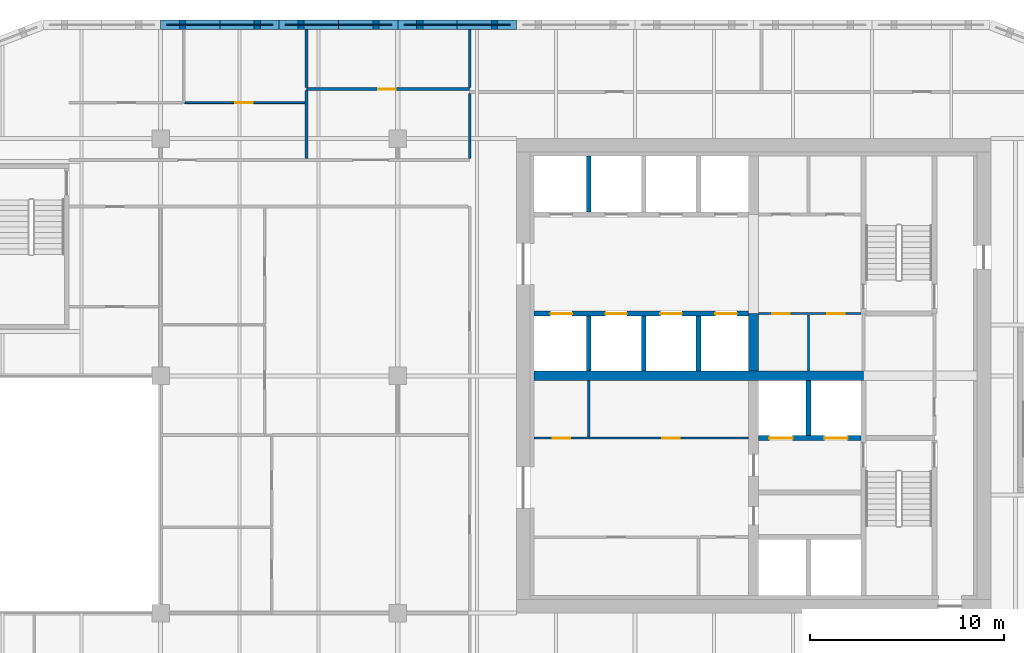
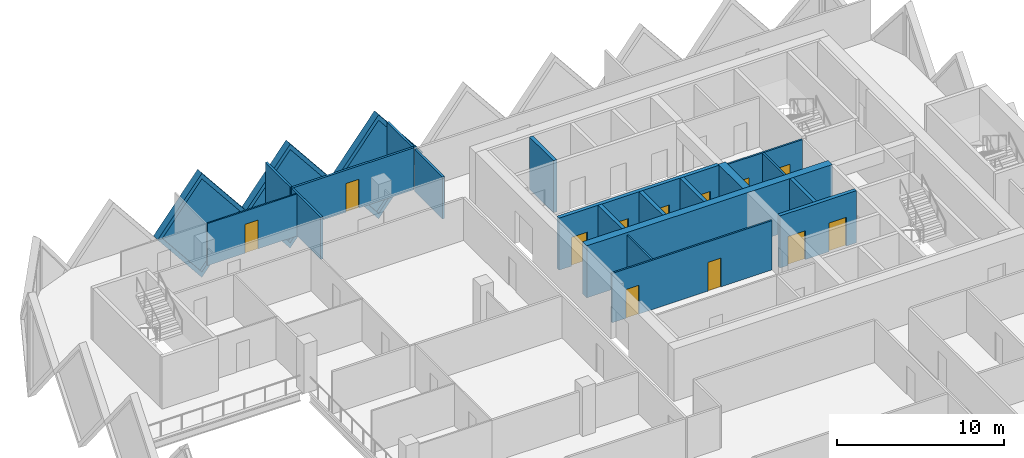
# One storey, part 8 of 13: 22 walls, 12 doors, 3 plates, 15 openings.
"""IFC4 building model written with IfcOpenShell, lengths in metres."""

from ifc_helpers import new_model, si_unit, direction, frame, frame_2d, origin, place, context, subcontext, project, spatial, polyline, rectangle, outline, extrude, faceted_brep, source, transform, mapped, material, layer, layer_set, type_object, element, fill, save


model = new_model("IFC4")

# Units and contexts
model_context = context("Model", 3, precision=1e-05, world=origin(), true_north=direction((0.0, 1.0)))
body_context = subcontext(model_context, "Body", "Model", "MODEL_VIEW")
ifc_project = project(units=[si_unit("LENGTHUNIT", "METRE"), si_unit("AREAUNIT", "SQUARE_METRE"), si_unit("VOLUMEUNIT", "CUBIC_METRE"), si_unit("PLANEANGLEUNIT", "RADIAN"), si_unit("MASSUNIT", "GRAM", prefix="KILO")], contexts=[model_context])

# Site, building, storey
site_placement = place(None, origin())
site = spatial("IfcSite", under=ifc_project, at=site_placement, CompositionType="ELEMENT")
building_placement = place(site_placement, origin())
building = spatial("IfcBuilding", under=site, at=building_placement, Name="Tessera Gate Towers", CompositionType="ELEMENT")
storey_placement = place(building_placement, frame((0.0, 0.0, 131.60009765625)))
storey = spatial("IfcBuildingStorey", under=building, at=storey_placement, Name="L32", CompositionType="ELEMENT", Elevation=131.60009765625)

# Wall, openings, doors
ifc_material_1 = material(Name="Concrete C40/50", Category="concrete")
ifc_layer_1 = layer(ifc_material_1, 0.25)
ifc_layer_set_1 = layer_set([ifc_layer_1], Name="CORE ENCLOSURE WALL 250")
wall_type_1 = type_object("IfcWallType", Name="CORE ENCLOSURE WALL 250", PredefinedType="SOLIDWALL", material=ifc_layer_set_1)
wall_1_placement = place(storey_placement, frame((31.39990234375, 39.800048828125, 0.0), z_axis=(0.0, 0.0, 1.0), x_axis=(1.0, 0.0, 0.0)))
wall_1 = element("IfcWall", 1, at=wall_1_placement, inside=storey, type_object=wall_type_1, Name="L32 shaft and stair enclosure wall", PredefinedType="SOLIDWALL", context=body_context, shape_type="SweptSolid", body=[
    extrude(rectangle(XDim=11.050048828125, YDim=0.25, at=frame_2d((5.52490234375, 0.0))), origin(), (0.0, 0.0, 1.0), 3.7998046875),
])
shared_shape_1 = source(origin(), body_context, "Body", "SweptSolid", [
    extrude(rectangle(XDim=1.10009765625, YDim=2.10009765625, at=frame_2d((0.550048828125, 1.050048828125))), frame((0.0, 0.135009765625, 0.0), z_axis=(0.0, -1.0, 0.0), x_axis=(1.0, 0.0, 0.0)), (0.0, 0.0, 1.0), 0.27001953125),
])
opening_1_placement = place(wall_1_placement, frame((0.862548828125, 0.0, 0.0)))
opening_1 = element("IfcOpeningElement", 2, at=opening_1_placement, cuts=wall_1, Name="Opening LD-HR1", PredefinedType="OPENING", context=body_context, shape_type="MappedRepresentation", body=[
    mapped(shared_shape_1, transform((0.0, 0.0, 0.0), scale=1.0)),
])
opening_2_placement = place(wall_1_placement, frame((3.6875, 0.0, 0.0)))
opening_2 = element("IfcOpeningElement", 3, at=opening_2_placement, cuts=wall_1, Name="Opening LD-HR2", PredefinedType="OPENING", context=body_context, shape_type="MappedRepresentation", body=[
    mapped(shared_shape_1, transform((0.0, 0.0, 0.0), scale=1.0)),
])
opening_3_placement = place(wall_1_placement, frame((6.512451171875, 0.0, 0.0)))
opening_3 = element("IfcOpeningElement", 4, at=opening_3_placement, cuts=wall_1, Name="Opening LD-HR3", PredefinedType="OPENING", context=body_context, shape_type="MappedRepresentation", body=[
    mapped(shared_shape_1, transform((0.0, 0.0, 0.0), scale=1.0)),
])
opening_4_placement = place(wall_1_placement, frame((9.33740234375, 0.0, 0.0)))
opening_4 = element("IfcOpeningElement", 5, at=opening_4_placement, cuts=wall_1, Name="Opening LD-HR4", PredefinedType="OPENING", context=body_context, shape_type="MappedRepresentation", body=[
    mapped(shared_shape_1, transform((0.0, 0.0, 0.0), scale=1.0)),
])
ifc_material_2 = material(Name="Stainless steel", Category="steel")
door_type_1 = type_object("IfcDoorType", Name="CORE DOOR LD 1100x2100", OperationType="DOUBLE_DOOR_SLIDING", PredefinedType="DOOR", material=ifc_material_2)
shared_shape_2 = source(origin(), body_context, "Body", "SweptSolid", [
    extrude(rectangle(XDim=1.10009765625, YDim=2.10009765625, at=frame_2d((0.550048828125, 1.050048828125))), frame((0.0, 0.02490234375, 0.0), z_axis=(0.0, -1.0, 0.0), x_axis=(1.0, 0.0, 0.0)), (0.0, 0.0, 1.0), 0.050048828125),
])
door_1_placement = place(opening_1_placement, origin())
door_1 = element("IfcDoor", 6, at=door_1_placement, inside=storey, type_object=door_type_1, Name="Landing door HR1 L32", OperationType="DOUBLE_DOOR_SLIDING", OverallHeight=2.10009765625, OverallWidth=1.10009765625, PredefinedType="DOOR", context=body_context, shape_type="MappedRepresentation", body=[
    mapped(shared_shape_2, transform((0.0, 0.0, 0.0), scale=1.0)),
])
fill(opening_1, door_1)
door_2_placement = place(opening_2_placement, origin())
door_2 = element("IfcDoor", 7, at=door_2_placement, inside=storey, type_object=door_type_1, Name="Landing door HR2 L32", OperationType="DOUBLE_DOOR_SLIDING", OverallHeight=2.10009765625, OverallWidth=1.10009765625, PredefinedType="DOOR", context=body_context, shape_type="MappedRepresentation", body=[
    mapped(shared_shape_2, transform((0.0, 0.0, 0.0), scale=1.0)),
])
fill(opening_2, door_2)
door_3_placement = place(opening_3_placement, origin())
door_3 = element("IfcDoor", 8, at=door_3_placement, inside=storey, type_object=door_type_1, Name="Landing door HR3 L32", OperationType="DOUBLE_DOOR_SLIDING", OverallHeight=2.10009765625, OverallWidth=1.10009765625, PredefinedType="DOOR", context=body_context, shape_type="MappedRepresentation", body=[
    mapped(shared_shape_2, transform((0.0, 0.0, 0.0), scale=1.0)),
])
fill(opening_3, door_3)
door_4_placement = place(opening_4_placement, origin())
door_4 = element("IfcDoor", 9, at=door_4_placement, inside=storey, type_object=door_type_1, Name="Landing door HR4 L32", OperationType="DOUBLE_DOOR_SLIDING", OverallHeight=2.10009765625, OverallWidth=1.10009765625, PredefinedType="DOOR", context=body_context, shape_type="MappedRepresentation", body=[
    mapped(shared_shape_2, transform((0.0, 0.0, 0.0), scale=1.0)),
])
fill(opening_4, door_4)

wall_2_placement = place(storey_placement, frame((48.22509765625, 33.39990234375, 0.0), z_axis=(0.0, 0.0, 1.0), x_axis=(-1.0, 0.0, 0.0)))
wall_2 = element("IfcWall", 10, at=wall_2_placement, inside=storey, type_object=wall_type_1, Name="L32 shaft and stair enclosure wall", PredefinedType="SOLIDWALL", context=body_context, shape_type="SweptSolid", body=[
    extrude(rectangle(XDim=5.275146484375, YDim=0.25, at=frame_2d((2.6376953125, 0.0))), origin(), (0.0, 0.0, 1.0), 3.7998046875),
])
shared_shape_3 = source(origin(), body_context, "Body", "SweptSolid", [
    extrude(rectangle(XDim=1.199951171875, YDim=2.10009765625, at=frame_2d((0.60009765625, 1.050048828125))), frame((0.0, 0.135009765625, 0.0), z_axis=(0.0, -1.0, 0.0), x_axis=(1.0, 0.0, 0.0)), (0.0, 0.0, 1.0), 0.27001953125),
])
opening_5_placement = place(wall_2_placement, frame((3.512451171875, 0.0, 0.0)))
opening_5 = element("IfcOpeningElement", 11, at=opening_5_placement, cuts=wall_2, Name="Opening LD-FF1", PredefinedType="OPENING", context=body_context, shape_type="MappedRepresentation", body=[
    mapped(shared_shape_3, transform((0.0, 0.0, 0.0), scale=1.0)),
])
opening_6_placement = place(wall_2_placement, frame((0.6875, 0.0, 0.0)))
opening_6 = element("IfcOpeningElement", 12, at=opening_6_placement, cuts=wall_2, Name="Opening LD-FF2", PredefinedType="OPENING", context=body_context, shape_type="MappedRepresentation", body=[
    mapped(shared_shape_3, transform((0.0, 0.0, 0.0), scale=1.0)),
])
ifc_material_3 = material(Name="Stainless steel", Category="steel")
door_type_2 = type_object("IfcDoorType", Name="CORE DOOR LD1200 1200x2100", OperationType="DOUBLE_DOOR_SLIDING", PredefinedType="DOOR", material=ifc_material_3)
shared_shape_4 = source(origin(), body_context, "Body", "SweptSolid", [
    extrude(rectangle(XDim=1.199951171875, YDim=2.10009765625, at=frame_2d((0.60009765625, 1.050048828125))), frame((0.0, 0.02490234375, 0.0), z_axis=(0.0, -1.0, 0.0), x_axis=(1.0, 0.0, 0.0)), (0.0, 0.0, 1.0), 0.050048828125),
])
door_5_placement = place(opening_5_placement, origin())
door_5 = element("IfcDoor", 13, at=door_5_placement, inside=storey, type_object=door_type_2, Name="Landing door FF1 L32", OperationType="DOUBLE_DOOR_SLIDING", OverallHeight=2.10009765625, OverallWidth=1.199951171875, PredefinedType="DOOR", context=body_context, shape_type="MappedRepresentation", body=[
    mapped(shared_shape_4, transform((0.0, 0.0, 0.0), scale=1.0)),
])
fill(opening_5, door_5)
door_6_placement = place(opening_6_placement, origin())
door_6 = element("IfcDoor", 14, at=door_6_placement, inside=storey, type_object=door_type_2, Name="Landing door FF2 L32", OperationType="DOUBLE_DOOR_SLIDING", OverallHeight=2.10009765625, OverallWidth=1.199951171875, PredefinedType="DOOR", context=body_context, shape_type="MappedRepresentation", body=[
    mapped(shared_shape_4, transform((0.0, 0.0, 0.0), scale=1.0)),
])
fill(opening_6, door_6)

# Walls
for number, where, z_axis, x_axis, name in (
    (15, (34.22509765625, 36.85009765625, 0.0), (0.0, 0.0, 1.0), (0.0, 1.0, 0.0), "L32 shaft and stair enclosure wall"),
    (16, (37.050048828125, 36.85009765625, 0.0), (0.0, 0.0, 1.0), (0.0, 1.0, 0.0), "L32 shaft and stair enclosure wall"),
    (17, (39.875, 36.85009765625, 0.0), (0.0, 0.0, 1.0), (0.0, 1.0, 0.0), "L32 shaft and stair enclosure wall"),
):
    element("IfcWall", number, at=place(storey_placement, frame(where, z_axis=z_axis, x_axis=x_axis)), inside=storey, type_object=wall_type_1, Name=name, PredefinedType="SOLIDWALL", context=body_context, shape_type="SweptSolid", body=[
        extrude(rectangle(XDim=2.824951171875, YDim=0.25, at=frame_2d((1.41259765625, 0.0))), origin(), (0.0, 0.0, 1.0), 3.7998046875),
    ])
wall_3_placement = place(storey_placement, frame((45.52490234375, 33.52490234375, 0.0), z_axis=(0.0, 0.0, 1.0), x_axis=(0.0, 1.0, 0.0)))
element("IfcWall", 18, at=wall_3_placement, inside=storey, type_object=wall_type_1, Name="L32 shaft and stair enclosure wall", PredefinedType="SOLIDWALL", context=body_context, shape_type="SweptSolid", body=[
    extrude(rectangle(XDim=2.8251953125, YDim=0.25, at=frame_2d((1.41259765625, 0.0))), origin(), (0.0, 0.0, 1.0), 3.7998046875),
])
wall_4_placement = place(storey_placement, frame((34.22509765625, 45.02490234375, 0.0), z_axis=(0.0, 0.0, 1.0), x_axis=(0.0, 1.0, 0.0)))
element("IfcWall", 19, at=wall_4_placement, inside=storey, type_object=wall_type_1, Name="L32 shaft and stair enclosure wall", PredefinedType="SOLIDWALL", context=body_context, shape_type="SweptSolid", body=[
    extrude(rectangle(XDim=2.875, YDim=0.25, at=frame_2d((1.4375, 0.0))), origin(), (0.0, 0.0, 1.0), 3.7998046875),
])

# Wall, openings, doors
ifc_material_4 = material(Name="Gypsum board on steel studs", Category="steel")
ifc_layer_2 = layer(ifc_material_4, 0.1201171875)
ifc_layer_set_2 = layer_set([ifc_layer_2], Name="CORE PARTITION 120")
wall_type_2 = type_object("IfcWallType", Name="CORE PARTITION 120", PredefinedType="PARTITIONING", material=ifc_layer_set_2)
wall_5_placement = place(storey_placement, frame((31.39990234375, 33.39990234375, 0.0), z_axis=(0.0, 0.0, 1.0), x_axis=(1.0, 0.0, 0.0)))
wall_5 = element("IfcWall", 20, at=wall_5_placement, inside=storey, type_object=wall_type_2, Name="L32 core partition", PredefinedType="PARTITIONING", context=body_context, shape_type="SweptSolid", body=[
    extrude(rectangle(XDim=11.050048828125, YDim=0.1201171875, at=frame_2d((5.52490234375, 0.0))), origin(), (0.0, 0.0, 1.0), 3.599853515625),
])
shared_shape_5 = source(origin(), body_context, "Body", "SweptSolid", [
    extrude(rectangle(XDim=0.89990234375, YDim=2.10009765625, at=frame_2d((0.449951171875, 1.050048828125))), frame((0.0, 0.070068359375, 0.0), z_axis=(0.0, -1.0, 0.0), x_axis=(1.0, 0.0, 0.0)), (0.0, 0.0, 1.0), 0.14013671875),
])
opening_7_placement = place(wall_5_placement, frame((0.96240234375, 0.0, 0.0)))
opening_7 = element("IfcOpeningElement", 21, at=opening_7_placement, cuts=wall_5, Name="Opening RD-T1-22-07", PredefinedType="OPENING", context=body_context, shape_type="MappedRepresentation", body=[
    mapped(shared_shape_5, transform((0.0, 0.0, 0.0), scale=1.0)),
])
opening_8_placement = place(wall_5_placement, frame((6.612548828125, 0.0, 0.0)))
opening_8 = element("IfcOpeningElement", 22, at=opening_8_placement, cuts=wall_5, Name="Opening RD-T1-22-08", PredefinedType="OPENING", context=body_context, shape_type="MappedRepresentation", body=[
    mapped(shared_shape_5, transform((0.0, 0.0, 0.0), scale=1.0)),
])
ifc_material_5 = material(Name="Hollow steel fire door", Category="steel")
door_type_3 = type_object("IfcDoorType", Name="CORE DOOR RD 900x2100", OperationType="NOTDEFINED", PredefinedType="DOOR", material=ifc_material_5)
shared_shape_6 = source(origin(), body_context, "Body", "SweptSolid", [
    extrude(rectangle(XDim=0.89990234375, YDim=2.10009765625, at=frame_2d((0.449951171875, 1.050048828125))), frame((0.0, 0.02490234375, 0.0), z_axis=(0.0, -1.0, 0.0), x_axis=(1.0, 0.0, 0.0)), (0.0, 0.0, 1.0), 0.050048828125),
])
door_7_placement = place(opening_7_placement, origin())
door_7 = element("IfcDoor", 23, at=door_7_placement, inside=storey, type_object=door_type_3, Name="Core room door", OperationType="SINGLE_SWING_LEFT", OverallHeight=2.10009765625, OverallWidth=0.89990234375, PredefinedType="DOOR", context=body_context, shape_type="MappedRepresentation", body=[
    mapped(shared_shape_6, transform((0.0, 0.0, 0.0), scale=1.0)),
])
fill(opening_7, door_7)
door_8_placement = place(opening_8_placement, origin())
door_8 = element("IfcDoor", 24, at=door_8_placement, inside=storey, type_object=door_type_3, Name="Core room door", OperationType="SINGLE_SWING_RIGHT", OverallHeight=2.10009765625, OverallWidth=0.89990234375, PredefinedType="DOOR", context=body_context, shape_type="MappedRepresentation", body=[
    mapped(shared_shape_6, transform((0.0, 0.0, 0.0), scale=1.0)),
])
fill(opening_8, door_8)

wall_6_placement = place(storey_placement, frame((48.22509765625, 39.800048828125, 0.0), z_axis=(0.0, 0.0, 1.0), x_axis=(-1.0, 0.0, 0.0)))
wall_6 = element("IfcWall", 25, at=wall_6_placement, inside=storey, type_object=wall_type_2, Name="L32 core partition", PredefinedType="PARTITIONING", context=body_context, shape_type="SweptSolid", body=[
    extrude(rectangle(XDim=5.275146484375, YDim=0.1201171875, at=frame_2d((2.6376953125, 0.0))), origin(), (0.0, 0.0, 1.0), 3.599853515625),
])
opening_9_placement = place(wall_6_placement, frame((3.66259765625, 0.0, 0.0)))
opening_9 = element("IfcOpeningElement", 26, at=opening_9_placement, cuts=wall_6, Name="Opening RD-T1-22-11", PredefinedType="OPENING", context=body_context, shape_type="MappedRepresentation", body=[
    mapped(shared_shape_5, transform((0.0, 0.0, 0.0), scale=1.0)),
])
opening_10_placement = place(wall_6_placement, frame((0.83740234375, 0.0, 0.0)))
opening_10 = element("IfcOpeningElement", 27, at=opening_10_placement, cuts=wall_6, Name="Opening RD-T1-22-12", PredefinedType="OPENING", context=body_context, shape_type="MappedRepresentation", body=[
    mapped(shared_shape_5, transform((0.0, 0.0, 0.0), scale=1.0)),
])
door_9_placement = place(opening_9_placement, origin())
door_9 = element("IfcDoor", 28, at=door_9_placement, inside=storey, type_object=door_type_3, Name="Core room door", OperationType="SINGLE_SWING_RIGHT", OverallHeight=2.10009765625, OverallWidth=0.89990234375, PredefinedType="DOOR", context=body_context, shape_type="MappedRepresentation", body=[
    mapped(shared_shape_6, transform((0.0, 0.0, 0.0), scale=1.0)),
])
fill(opening_9, door_9)
door_10_placement = place(opening_10_placement, origin())
door_10 = element("IfcDoor", 29, at=door_10_placement, inside=storey, type_object=door_type_3, Name="Core room door", OperationType="SINGLE_SWING_LEFT", OverallHeight=2.10009765625, OverallWidth=0.89990234375, PredefinedType="DOOR", context=body_context, shape_type="MappedRepresentation", body=[
    mapped(shared_shape_6, transform((0.0, 0.0, 0.0), scale=1.0)),
])
fill(opening_10, door_10)

# Walls
wall_7_placement = place(storey_placement, frame((45.52490234375, 36.85009765625, 0.0), z_axis=(0.0, 0.0, 1.0), x_axis=(0.0, 1.0, 0.0)))
element("IfcWall", 30, at=wall_7_placement, inside=storey, type_object=wall_type_2, Name="L32 core partition", PredefinedType="PARTITIONING", context=body_context, shape_type="SweptSolid", body=[
    extrude(rectangle(XDim=2.889892578125, YDim=0.1201171875, at=frame_2d((1.44482421875, 0.0))), origin(), (0.0, 0.0, 1.0), 3.599853515625),
])
wall_8_placement = place(storey_placement, frame((34.22509765625, 33.4599609375, 0.0), z_axis=(0.0, 0.0, 1.0), x_axis=(0.0, 1.0, 0.0)))
element("IfcWall", 31, at=wall_8_placement, inside=storey, type_object=wall_type_2, Name="L32 core partition", PredefinedType="PARTITIONING", context=body_context, shape_type="SweptSolid", body=[
    extrude(rectangle(XDim=2.89013671875, YDim=0.1201171875, at=frame_2d((1.445068359375, 0.0))), origin(), (0.0, 0.0, 1.0), 3.599853515625),
])
ifc_material_6 = material(Name="Concrete C60/75", Category="concrete")
ifc_layer_3 = layer(ifc_material_6, 0.5)
ifc_layer_set_3 = layer_set([ifc_layer_3], Name="CORE SPINE WALL 500 C60/75")
wall_type_3 = type_object("IfcWallType", Name="CORE SPINE WALL 500 C60/75", PredefinedType="SHEAR", material=ifc_layer_set_3)
wall_9_placement = place(storey_placement, frame((31.39990234375, 36.60009765625, 0.0), z_axis=(0.0, 0.0, 1.0), x_axis=(1.0, 0.0, 0.0)))
element("IfcWall", 32, at=wall_9_placement, inside=storey, type_object=wall_type_3, Name="Core wall spine L32", PredefinedType="SHEAR", context=body_context, shape_type="SweptSolid", body=[
    extrude(rectangle(XDim=16.9501953125, YDim=0.5, at=frame_2d((8.47509765625, 0.0))), origin(), (0.0, 0.0, 1.0), 3.7998046875),
])
wall_10_placement = place(storey_placement, frame((42.699951171875, 36.85009765625, 0.0), z_axis=(0.0, 0.0, 1.0), x_axis=(0.0, 1.0, 0.0)))
element("IfcWall", 33, at=wall_10_placement, inside=storey, type_object=wall_type_3, Name="Core wall spine L32", PredefinedType="SHEAR", context=body_context, shape_type="SweptSolid", body=[
    extrude(rectangle(XDim=2.949951171875, YDim=0.5, at=frame_2d((1.47509765625, 0.0))), origin(), (0.0, 0.0, 1.0), 3.7998046875),
])
ifc_material_7 = material(Name="Gypsum board on steel studs, mineral wool", Category="steel")
ifc_layer_4 = layer(ifc_material_7, 0.14990234375)
ifc_layer_set_4 = layer_set([ifc_layer_4], Name="CORRIDOR WALL 150")
wall_type_4 = type_object("IfcWallType", Name="CORRIDOR WALL 150", PredefinedType="PARTITIONING", material=ifc_layer_set_4)
wall_11_placement = place(storey_placement, frame((28.10009765625, 47.77587890625, 0.0), z_axis=(0.0, 0.0, 1.0), x_axis=(0.0, 1.0, 0.0)))
element("IfcWall", 34, at=wall_11_placement, inside=storey, type_object=wall_type_4, Name="T1-L32-PW-040", PredefinedType="PARTITIONING", context=body_context, shape_type="SweptSolid", body=[
    extrude(rectangle(XDim=3.34814453125, YDim=0.14990234375, at=frame_2d((1.674072265625, 0.0))), origin(), (0.0, 0.0, 1.0), 3.06689453125),
])

# Wall, opening, door
ifc_material_8 = material(Name="Glass", Category="glass")
ifc_layer_5 = layer(ifc_material_8, 0.10009765625)
ifc_layer_set_5 = layer_set([ifc_layer_5], Name="GLAZED PARTITION 100")
wall_type_5 = type_object("IfcWallType", Name="GLAZED PARTITION 100", PredefinedType="PARTITIONING", material=ifc_layer_set_5)
wall_12_placement = place(storey_placement, frame((13.444580078125, 50.64990234375, 0.0), z_axis=(0.0, 0.0, 1.0), x_axis=(1.0, 0.0, 0.0)))
wall_12 = element("IfcWall", 35, at=wall_12_placement, inside=storey, type_object=wall_type_5, Name="T1-L32-PW-045", PredefinedType="PARTITIONING", context=body_context, shape_type="SweptSolid", body=[
    extrude(rectangle(XDim=6.179443359375, YDim=0.10009765625, at=frame_2d((3.08984375, 0.0))), origin(), (0.0, 0.0, 1.0), 3.06689453125),
])
shared_shape_7 = source(origin(), body_context, "Body", "SweptSolid", [
    extrude(rectangle(XDim=0.89990234375, YDim=2.10009765625, at=frame_2d((0.449951171875, 1.050048828125))), frame((0.0, 0.06005859375, 0.0), z_axis=(0.0, -1.0, 0.0), x_axis=(1.0, 0.0, 0.0)), (0.0, 0.0, 1.0), 0.1201171875),
])
opening_11_placement = place(wall_12_placement, frame((2.60009765625, 0.0, 0.0)))
opening_11 = element("IfcOpeningElement", 36, at=opening_11_placement, cuts=wall_12, Name="Opening D690-A11-07", PredefinedType="OPENING", context=body_context, shape_type="MappedRepresentation", body=[
    mapped(shared_shape_7, transform((0.0, 0.0, 0.0), scale=1.0)),
])
ifc_material_9 = material(Name="Glass in aluminium frame", Category="aluminium")
door_type_4 = type_object("IfcDoorType", Name="GLAZED DOOR 900 NOT RATED", OperationType="NOTDEFINED", PredefinedType="DOOR", material=ifc_material_9)
door_11_placement = place(opening_11_placement, origin())
door_11 = element("IfcDoor", 37, at=door_11_placement, inside=storey, type_object=door_type_4, Name="T1-L32-PD-011", OperationType="SINGLE_SWING_LEFT", OverallHeight=2.10009765625, OverallWidth=0.89990234375, PredefinedType="DOOR", context=body_context, shape_type="MappedRepresentation", body=[
    mapped(shared_shape_6, transform((0.0, 0.0, 0.0), scale=1.0)),
])
fill(opening_11, door_11)

# Wall
ifc_material_10 = material(Name="Gypsum board on steel studs, mineral wool", Category="steel")
ifc_layer_6 = layer(ifc_material_10, 0.14990234375)
ifc_layer_set_6 = layer_set([ifc_layer_6], Name="TENANCY WALL 150")
wall_type_6 = type_object("IfcWallType", Name="TENANCY WALL 150", PredefinedType="PARTITIONING", material=ifc_layer_set_6)
wall_13_placement = place(storey_placement, frame((19.699951171875, 47.77587890625, 0.0), z_axis=(0.0, 0.0, 1.0), x_axis=(0.0, 1.0, 0.0)))
element("IfcWall", 38, at=wall_13_placement, inside=storey, type_object=wall_type_6, Name="T1-L32-PW-039", PredefinedType="PARTITIONING", context=body_context, shape_type="SweptSolid", body=[
    extrude(rectangle(XDim=3.498046875, YDim=0.14990234375, at=frame_2d((1.7490234375, 0.0))), origin(), (0.0, 0.0, 1.0), 3.06689453125),
])

# Wall, opening, door
wall_14_placement = place(storey_placement, frame((19.699951171875, 51.35009765625, 0.0), z_axis=(0.0, 0.0, 1.0), x_axis=(1.0, 0.0, 0.0)))
wall_14 = element("IfcWall", 39, at=wall_14_placement, inside=storey, type_object=wall_type_6, Name="T1-L32-PW-048", PredefinedType="PARTITIONING", context=body_context, shape_type="SweptSolid", body=[
    extrude(rectangle(XDim=8.400146484375, YDim=0.14990234375, at=frame_2d((4.2001953125, 0.0))), origin(), (0.0, 0.0, 1.0), 3.06689453125),
])
shared_shape_8 = source(origin(), body_context, "Body", "SweptSolid", [
    extrude(rectangle(XDim=0.89990234375, YDim=2.10009765625, at=frame_2d((0.449951171875, 1.050048828125))), frame((0.0, 0.0849609375, 0.0), z_axis=(0.0, -1.0, 0.0), x_axis=(1.0, 0.0, 0.0)), (0.0, 0.0, 1.0), 0.169921875),
])
opening_12_placement = place(wall_14_placement, frame((3.699951171875, 0.0, 0.0)))
opening_12 = element("IfcOpeningElement", 40, at=opening_12_placement, cuts=wall_14, Name="Opening D190-A11-05", PredefinedType="OPENING", context=body_context, shape_type="MappedRepresentation", body=[
    mapped(shared_shape_8, transform((0.0, 0.0, 0.0), scale=1.0)),
])
ifc_material_11 = material(Name="Timber door leaf in steel frame", Category="steel")
door_type_5 = type_object("IfcDoorType", Name="INTERNAL DOOR 900 NOT RATED", OperationType="NOTDEFINED", PredefinedType="DOOR", material=ifc_material_11)
door_12_placement = place(opening_12_placement, origin())
door_12 = element("IfcDoor", 41, at=door_12_placement, inside=storey, type_object=door_type_5, Name="T1-L32-PD-016", OperationType="SINGLE_SWING_LEFT", OverallHeight=2.10009765625, OverallWidth=0.89990234375, PredefinedType="DOOR", context=body_context, shape_type="MappedRepresentation", body=[
    mapped(shared_shape_6, transform((0.0, 0.0, 0.0), scale=1.0)),
])
fill(opening_12, door_12)

# Walls
for number, where, z_axis, x_axis, name in (
    (42, (19.699951171875, 51.426025390625, 0.0), (0.0, 0.0, 1.0), (0.0, 1.0, 0.0), "T1-L32-PW-049"),
    (43, (28.10009765625, 51.426025390625, 0.0), (0.0, 0.0, 1.0), (0.0, 1.0, 0.0), "T1-L32-PW-050"),
):
    element("IfcWall", number, at=place(storey_placement, frame(where, z_axis=z_axis, x_axis=x_axis)), inside=storey, type_object=wall_type_6, Name=name, PredefinedType="PARTITIONING", context=body_context, shape_type="SweptSolid", body=[
        extrude(rectangle(XDim=2.973876953125, YDim=0.14990234375, at=frame_2d((1.48681640625, 0.0))), origin(), (0.0, 0.0, 1.0), 3.06689453125),
    ])

# Wall, opening, plate
ifc_material_12 = material(Name="Precast concrete C60/75 white", Category="concrete")
ifc_layer_7 = layer(ifc_material_12, 0.5)
ifc_layer_set_7 = layer_set([ifc_layer_7], Name="TS1 tessera")
wall_type_7 = type_object("IfcWallType", Name="TS1 tessera", PredefinedType="SOLIDWALL", material=ifc_layer_set_7)
shared_shape_9 = source(origin(), body_context, "Body", "Brep", [
    faceted_brep([(3.050048828125, -0.25, 0.0), (6.099853515625, -0.25, 3.7998046875), (6.099853515625, -0.25, 3.80029296875), (3.050048828125, -0.25, 7.599853515625), (0.0, -0.25, 3.800048828125), (0.0, 0.25, 3.800048828125), (3.050048828125, 0.25, 7.599853515625), (6.099853515625, 0.25, 3.80029296875), (6.099853515625, 0.25, 3.7998046875), (3.050048828125, 0.25, 0.0)], [[[0, 1, 2, 3, 4]], [[5, 6, 7, 8, 9]], [[9, 8, 1, 0]], [[7, 6, 3, 2]], [[6, 5, 4, 3]], [[5, 9, 0, 4]], [[1, 8, 7, 2]]]),
])
wall_15_placement = place(storey_placement, frame((24.39990234375, 54.64990234375, -3.800048828125), z_axis=(0.0, 0.0, 1.0), x_axis=(-1.0, 0.0, 0.0)))
wall_15 = element("IfcWall", 44, at=wall_15_placement, inside=storey, type_object=wall_type_7, Name="Precast tessera T1 TS1-0544", PredefinedType="SOLIDWALL", context=body_context, shape_type="MappedRepresentation", body=[
    mapped(shared_shape_9, transform((0.0, 0.0, 0.0), scale=1.0)),
])
shared_shape_10 = source(origin(), body_context, "Body", "SweptSolid", [
    extrude(outline(polyline([(3.050048828125, 0.3994140625), (5.779541015625, 3.800048828125), (3.050048828125, 7.200439453125), (0.320556640625, 3.800048828125), (3.050048828125, 0.3994140625)])), frame((0.0, 0.260009765625, 0.0), z_axis=(0.0, -1.0, 0.0), x_axis=(1.0, 0.0, 0.0)), (0.0, 0.0, 1.0), 0.52001953125),
])
opening_13_placement = place(wall_15_placement, origin())
opening_13 = element("IfcOpeningElement", 45, at=opening_13_placement, cuts=wall_15, Name="Opening T1-PL2-1104", PredefinedType="OPENING", context=body_context, shape_type="MappedRepresentation", body=[
    mapped(shared_shape_10, transform((0.0, 0.0, 0.0), scale=1.0)),
])
ifc_material_13 = material(Name="Low-e laminated glass", Category="glass")
ifc_layer_8 = layer(ifc_material_13, 0.06005859375)
ifc_layer_set_8 = layer_set([ifc_layer_8], Name="PL2 rhombic pane")
plate_type = type_object("IfcPlateType", Name="PL2 rhombic pane", PredefinedType="SHEET", material=ifc_layer_set_8)
shared_shape_11 = source(origin(), body_context, "Body", "SweptSolid", [
    extrude(outline(polyline([(3.050048828125, 0.3994140625), (5.779541015625, 3.800048828125), (3.050048828125, 7.200439453125), (0.320556640625, 3.800048828125), (3.050048828125, 0.3994140625)])), frame((0.0, 0.030029296875, 0.0), z_axis=(0.0, -1.0, 0.0), x_axis=(1.0, 0.0, 0.0)), (0.0, 0.0, 1.0), 0.06005859375),
])
plate_1_placement = place(opening_13_placement, origin())
plate_1 = element("IfcPlate", 46, at=plate_1_placement, inside=storey, type_object=plate_type, Name="Glass pane T1 PL2-1104", PredefinedType="SHEET", context=body_context, shape_type="MappedRepresentation", body=[
    mapped(shared_shape_11, transform((0.0, 0.0, 0.0), scale=1.0)),
])
fill(opening_13, plate_1)

shared_shape_12 = source(origin(), body_context, "Body", "SweptSolid", [
    extrude(outline(polyline([(3.050048828125, 0.0), (6.10009765625, 3.800048828125), (3.050048828125, 7.599853515625), (0.0, 3.800048828125), (3.050048828125, 0.0)])), frame((0.0, 0.25, 0.0), z_axis=(0.0, -1.0, 0.0), x_axis=(1.0, 0.0, 0.0)), (0.0, 0.0, 1.0), 0.5),
])
wall_16_placement = place(storey_placement, frame((30.5, 54.64990234375, -3.800048828125), z_axis=(0.0, 0.0, 1.0), x_axis=(-1.0, 0.0, 0.0)))
wall_16 = element("IfcWall", 47, at=wall_16_placement, inside=storey, type_object=wall_type_7, Name="Precast tessera T1 TS1-0543", PredefinedType="SOLIDWALL", context=body_context, shape_type="MappedRepresentation", body=[
    mapped(shared_shape_12, transform((0.0, 0.0, 0.0), scale=1.0)),
])
opening_14_placement = place(wall_16_placement, origin())
opening_14 = element("IfcOpeningElement", 48, at=opening_14_placement, cuts=wall_16, Name="Opening T1-PL2-1103", PredefinedType="OPENING", context=body_context, shape_type="MappedRepresentation", body=[
    mapped(shared_shape_10, transform((0.0, 0.0, 0.0), scale=1.0)),
])
plate_2_placement = place(opening_14_placement, origin())
plate_2 = element("IfcPlate", 49, at=plate_2_placement, inside=storey, type_object=plate_type, Name="Glass pane T1 PL2-1103", PredefinedType="SHEET", context=body_context, shape_type="MappedRepresentation", body=[
    mapped(shared_shape_11, transform((0.0, 0.0, 0.0), scale=1.0)),
])
fill(opening_14, plate_2)

wall_17_placement = place(storey_placement, frame((18.300048828125, 54.64990234375, -3.800048828125), z_axis=(0.0, 0.0, 1.0), x_axis=(-1.0, 0.0, 0.0)))
wall_17 = element("IfcWall", 50, at=wall_17_placement, inside=storey, type_object=wall_type_7, Name="Precast tessera T1 TS1-0545", PredefinedType="SOLIDWALL", context=body_context, shape_type="MappedRepresentation", body=[
    mapped(shared_shape_12, transform((0.0, 0.0, 0.0), scale=1.0)),
])
opening_15_placement = place(wall_17_placement, origin())
opening_15 = element("IfcOpeningElement", 51, at=opening_15_placement, cuts=wall_17, Name="Opening T1-PL2-1105", PredefinedType="OPENING", context=body_context, shape_type="MappedRepresentation", body=[
    mapped(shared_shape_10, transform((0.0, 0.0, 0.0), scale=1.0)),
])
plate_3_placement = place(opening_15_placement, origin())
plate_3 = element("IfcPlate", 52, at=plate_3_placement, inside=storey, type_object=plate_type, Name="Glass pane T1 PL2-1105", PredefinedType="SHEET", context=body_context, shape_type="MappedRepresentation", body=[
    mapped(shared_shape_11, transform((0.0, 0.0, 0.0), scale=1.0)),
])
fill(opening_15, plate_3)

save(model, "model.ifc")
